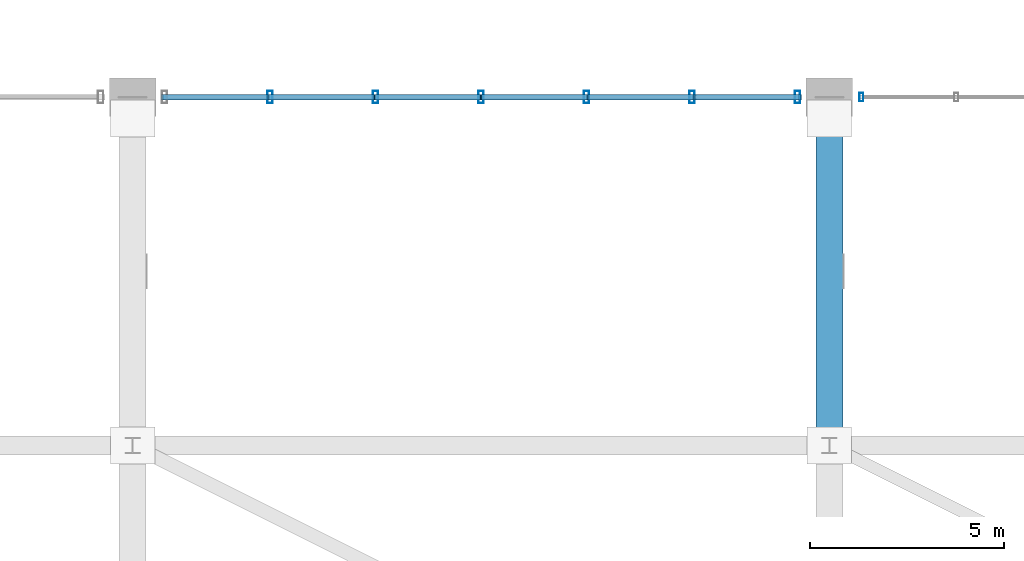
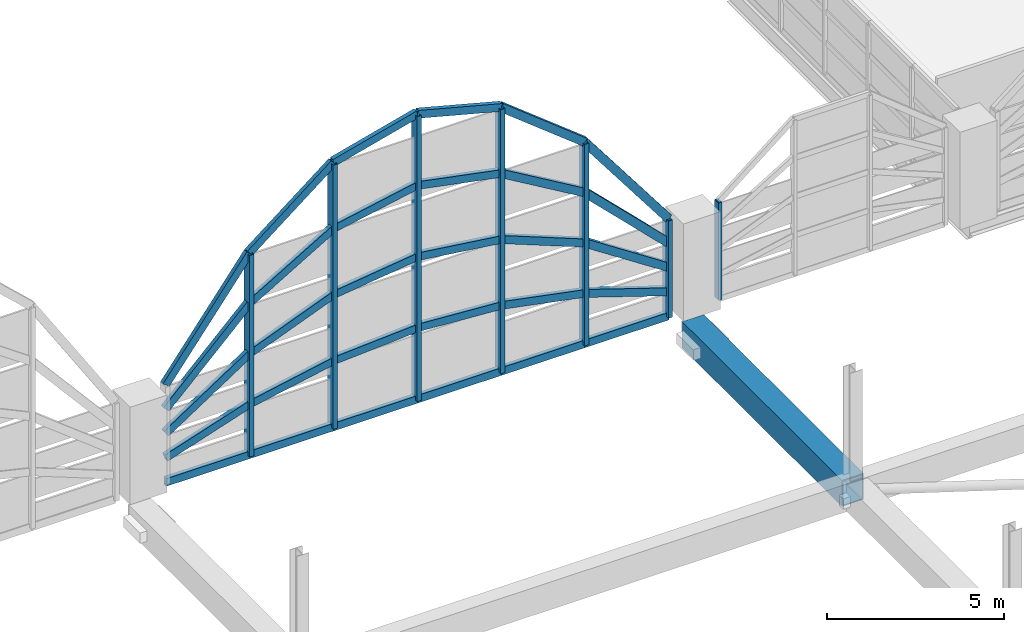
# One storey, part 53 of 116: 37 members, 1 beam, 2 elements without a shape of their own.
"""IFC4 building model written with IfcOpenShell, lengths in metres."""

from ifc_helpers import new_model, si_unit, direction, frame, origin, origin_2d, place, context, subcontext, project, spatial, hollow_rectangle, extrude, material, material_profile, profile_set, type_object, element, aggregate, save


model = new_model("IFC4")

# Units and contexts
model_context = context("Model", 3, precision=1e-05, world=origin(), true_north=direction((0.0, 1.0)))
body_context = subcontext(model_context, "Body", "Model", "MODEL_VIEW")
ifc_project = project(units=[si_unit("LENGTHUNIT", "METRE"), si_unit("AREAUNIT", "SQUARE_METRE"), si_unit("VOLUMEUNIT", "CUBIC_METRE"), si_unit("PLANEANGLEUNIT", "RADIAN"), si_unit("MASSUNIT", "GRAM", prefix="KILO")], contexts=[model_context])

# Site, building, storey
site_placement = place(None, origin())
site = spatial("IfcSite", under=ifc_project, at=site_placement, CompositionType="ELEMENT")
building_placement = place(site_placement, origin())
building = spatial("IfcBuilding", under=site, at=building_placement, Name="Chuanluo Vaults Station", CompositionType="ELEMENT")
storey_placement = place(building_placement, frame((0.0, 0.0, 10.800048828125)))
storey = spatial("IfcBuildingStorey", under=building, at=storey_placement, Name="L02", CompositionType="ELEMENT", Elevation=10.800048828125)

# Beam
ifc_material_1 = material(Name="Steel Q390C", Category="steel")
ifc_material_profile_1 = material_profile(ifc_material_1, hollow_rectangle(XDim=0.699951171875, YDim=0.89990234375, WallThickness=0.035888671875, at=origin_2d()))
ifc_profile_set_1 = profile_set([ifc_material_profile_1], Name="Steel Q390C")
beam_type = type_object("IfcBeamType", Name="BM-TT-TOP", PredefinedType="USERDEFINED", material=ifc_profile_set_1)
beam_placement = place(storey_placement, frame((108.0, 94.5, -0.85009765625), z_axis=(0.0, 1.0, 0.0), x_axis=(-1.0, 0.0, 0.0)))
element("IfcBeam", 1, at=beam_placement, inside=storey, type_object=beam_type, Name="Transfer truss TT-7 top chord 4", ObjectType="GIRDER", PredefinedType="USERDEFINED", context=body_context, shape_type="SweptSolid", body=[
    extrude(hollow_rectangle(XDim=0.699951171875, YDim=0.89990234375, WallThickness=0.035888671875, at=origin_2d()), origin(), (0.0, 0.0, 1.0), 9.0),
])

# Curtain wall, member
ifc_material_2 = material(Name="Anodised aluminium 6063-T6", Category="aluminium")
curtain_wall_type_1 = type_object("IfcCurtainWallType", Name="CW-SYS-24", PredefinedType="NOTDEFINED", material=ifc_material_2)
curtain_wall_1_placement = place(storey_placement, origin())
curtain_wall_1 = element("IfcCurtainWall", 2, at=curtain_wall_1_placement, inside=storey, type_object=curtain_wall_type_1, Name="Vault V7 north arched curtain wall part 1", PredefinedType="NOTDEFINED")
ifc_material_3 = material(Name="Anodised aluminium 6063-T6", Category="aluminium")
ifc_material_profile_2 = material_profile(ifc_material_3, hollow_rectangle(XDim=0.10498046875, YDim=0.219970703125, WallThickness=0.006103515625, at=origin_2d()))
ifc_profile_set_2 = profile_set([ifc_material_profile_2], Name="Anodised aluminium 6063-T6")
member_type_1 = type_object("IfcMemberType", Name="CWM-140", PredefinedType="MULLION", material=ifc_profile_set_2)
member_1_placement = place(storey_placement, frame((108.824951171875, 103.5, 0.0), z_axis=(0.0, 0.0, 1.0), x_axis=(1.0, 0.0, 0.0)))
member_1 = element("IfcMember", 3, at=member_1_placement, type_object=member_type_1, Name="Vault V7 north arched curtain wall part 1 mullion 1", PredefinedType="MULLION", context=body_context, shape_type="SweptSolid", body=[
    extrude(hollow_rectangle(XDim=0.10498046875, YDim=0.219970703125, WallThickness=0.006103515625, at=origin_2d()), origin(), (0.0, 0.0, 1.0), 3.349853515625),
])
aggregate(curtain_wall_1, [member_1])

# Curtain wall, members
ifc_material_4 = material(Name="Anodised aluminium 6063-T6", Category="aluminium")
curtain_wall_type_2 = type_object("IfcCurtainWallType", Name="CW-SYS-21", PredefinedType="NOTDEFINED", material=ifc_material_4)
curtain_wall_2_placement = place(storey_placement, origin())
curtain_wall_2 = element("IfcCurtainWall", 4, at=curtain_wall_2_placement, inside=storey, type_object=curtain_wall_type_2, Name="Vault V6 north arched curtain wall", PredefinedType="NOTDEFINED")
ifc_material_5 = material(Name="Anodised aluminium 6063-T6", Category="aluminium")
ifc_material_profile_3 = material_profile(ifc_material_5, hollow_rectangle(XDim=0.139892578125, YDim=0.320068359375, WallThickness=0.008056640625, at=origin_2d()))
ifc_profile_set_3 = profile_set([ifc_material_profile_3], Name="Anodised aluminium 6063-T6")
member_type_2 = type_object("IfcMemberType", Name="CWM-220", PredefinedType="MULLION", material=ifc_profile_set_3)
member_2_placement = place(storey_placement, frame((93.550048828125, 103.5, 0.0), z_axis=(0.0, 0.0, 1.0), x_axis=(1.0, 0.0, 0.0)))
member_2 = element("IfcMember", 5, at=member_2_placement, type_object=member_type_2, Name="Vault V6 north arched curtain wall mullion 2", PredefinedType="MULLION", context=body_context, shape_type="SweptSolid", body=[
    extrude(hollow_rectangle(XDim=0.139892578125, YDim=0.320068359375, WallThickness=0.008056640625, at=origin_2d()), origin(), (0.0, 0.0, 1.0), 6.933349609375),
])
member_3_placement = place(storey_placement, frame((96.27490234375, 103.5, 0.0), z_axis=(0.0, 0.0, 1.0), x_axis=(1.0, 0.0, 0.0)))
member_3 = element("IfcMember", 6, at=member_3_placement, type_object=member_type_2, Name="Vault V6 north arched curtain wall mullion 3", PredefinedType="MULLION", context=body_context, shape_type="SweptSolid", body=[
    extrude(hollow_rectangle(XDim=0.139892578125, YDim=0.320068359375, WallThickness=0.008056640625, at=origin_2d()), origin(), (0.0, 0.0, 1.0), 9.083251953125),
])
member_4_placement = place(storey_placement, frame((99.0, 103.5, 0.0), z_axis=(0.0, 0.0, 1.0), x_axis=(1.0, 0.0, 0.0)))
member_4 = element("IfcMember", 7, at=member_4_placement, type_object=member_type_2, Name="Vault V6 north arched curtain wall mullion 4", PredefinedType="MULLION", context=body_context, shape_type="SweptSolid", body=[
    extrude(hollow_rectangle(XDim=0.139892578125, YDim=0.320068359375, WallThickness=0.008056640625, at=origin_2d()), origin(), (0.0, 0.0, 1.0), 9.800048828125),
])
member_5_placement = place(storey_placement, frame((101.72509765625, 103.5, 0.0), z_axis=(0.0, 0.0, 1.0), x_axis=(1.0, 0.0, 0.0)))
member_5 = element("IfcMember", 8, at=member_5_placement, type_object=member_type_2, Name="Vault V6 north arched curtain wall mullion 5", PredefinedType="MULLION", context=body_context, shape_type="SweptSolid", body=[
    extrude(hollow_rectangle(XDim=0.139892578125, YDim=0.320068359375, WallThickness=0.008056640625, at=origin_2d()), origin(), (0.0, 0.0, 1.0), 9.083251953125),
])
member_6_placement = place(storey_placement, frame((104.449951171875, 103.5, 0.0), z_axis=(0.0, 0.0, 1.0), x_axis=(1.0, 0.0, 0.0)))
member_6 = element("IfcMember", 9, at=member_6_placement, type_object=member_type_2, Name="Vault V6 north arched curtain wall mullion 6", PredefinedType="MULLION", context=body_context, shape_type="SweptSolid", body=[
    extrude(hollow_rectangle(XDim=0.139892578125, YDim=0.320068359375, WallThickness=0.008056640625, at=origin_2d()), origin(), (0.0, 0.0, 1.0), 6.933349609375),
])
member_7_placement = place(storey_placement, frame((107.175048828125, 103.5, 0.0), z_axis=(0.0, 0.0, 1.0), x_axis=(1.0, 0.0, 0.0)))
member_7 = element("IfcMember", 10, at=member_7_placement, type_object=member_type_2, Name="Vault V6 north arched curtain wall mullion 7", PredefinedType="MULLION", context=body_context, shape_type="SweptSolid", body=[
    extrude(hollow_rectangle(XDim=0.139892578125, YDim=0.320068359375, WallThickness=0.008056640625, at=origin_2d()), origin(), (0.0, 0.0, 1.0), 3.349853515625),
])
ifc_material_6 = material(Name="Anodised aluminium 6063-T6", Category="aluminium")
ifc_material_profile_4 = material_profile(ifc_material_6, hollow_rectangle(XDim=0.139892578125, YDim=0.260009765625, WallThickness=0.007080078125, at=origin_2d()))
ifc_profile_set_4 = profile_set([ifc_material_profile_4], Name="Anodised aluminium 6063-T6")
member_type_3 = type_object("IfcMemberType", Name="CWT-180", PredefinedType="USERDEFINED", material=ifc_profile_set_4)
member_8_placement = place(storey_placement, frame((90.824951171875, 103.5, 0.0), z_axis=(1.0, 0.0, 0.0), x_axis=(0.0, 1.0, 0.0)))
member_8 = element("IfcMember", 11, at=member_8_placement, type_object=member_type_3, Name="Vault V6 north arched curtain wall transom 1.1", ObjectType="TRANSOM", PredefinedType="USERDEFINED", context=body_context, shape_type="SweptSolid", body=[
    extrude(hollow_rectangle(XDim=0.139892578125, YDim=0.260009765625, WallThickness=0.007080078125, at=origin_2d()), origin(), (0.0, 0.0, 1.0), 2.72509765625),
])
member_9_placement = place(storey_placement, frame((90.824951171875, 103.5, 0.83740234375), z_axis=(0.949994243133, 0.0, 0.312267414268), x_axis=(0.0, 1.0, 0.0)))
member_9 = element("IfcMember", 12, at=member_9_placement, type_object=member_type_3, Name="Vault V6 north arched curtain wall transom 1.2", ObjectType="TRANSOM", PredefinedType="USERDEFINED", context=body_context, shape_type="SweptSolid", body=[
    extrude(hollow_rectangle(XDim=0.139892578125, YDim=0.260009765625, WallThickness=0.007080078125, at=origin_2d()), origin(), (0.0, 0.0, 1.0), 2.86865234375),
])
member_10_placement = place(storey_placement, frame((90.824951171875, 103.5, 1.675048828125), z_axis=(0.835603373721, 0.0, 0.549333233862), x_axis=(0.0, 1.0, 0.0)))
member_10 = element("IfcMember", 13, at=member_10_placement, type_object=member_type_3, Name="Vault V6 north arched curtain wall transom 1.3", ObjectType="TRANSOM", PredefinedType="USERDEFINED", context=body_context, shape_type="SweptSolid", body=[
    extrude(hollow_rectangle(XDim=0.139892578125, YDim=0.260009765625, WallThickness=0.007080078125, at=origin_2d()), origin(), (0.0, 0.0, 1.0), 3.26123046875),
])
member_11_placement = place(storey_placement, frame((90.824951171875, 103.5, 2.512451171875), z_axis=(0.712001396563, 0.0, 0.702178048142), x_axis=(0.0, 1.0, 0.0)))
member_11 = element("IfcMember", 14, at=member_11_placement, type_object=member_type_3, Name="Vault V6 north arched curtain wall transom 1.4", ObjectType="TRANSOM", PredefinedType="USERDEFINED", context=body_context, shape_type="SweptSolid", body=[
    extrude(hollow_rectangle(XDim=0.139892578125, YDim=0.260009765625, WallThickness=0.007080078125, at=origin_2d()), origin(), (0.0, 0.0, 1.0), 3.827392578125),
])
member_12_placement = place(storey_placement, frame((90.824951171875, 103.5, 3.349853515625), z_axis=(0.605314241676, 0.0, 0.795986600907), x_axis=(0.0, 1.0, 0.0)))
member_12 = element("IfcMember", 15, at=member_12_placement, type_object=member_type_3, Name="Vault V6 north arched curtain wall transom 1.5", ObjectType="TRANSOM", PredefinedType="USERDEFINED", context=body_context, shape_type="SweptSolid", body=[
    extrude(hollow_rectangle(XDim=0.139892578125, YDim=0.260009765625, WallThickness=0.007080078125, at=origin_2d()), origin(), (0.0, 0.0, 1.0), 4.501953125),
])
member_13_placement = place(storey_placement, frame((93.550048828125, 103.5, 0.0), z_axis=(1.0, 0.0, 0.0), x_axis=(0.0, 1.0, 0.0)))
member_13 = element("IfcMember", 16, at=member_13_placement, type_object=member_type_3, Name="Vault V6 north arched curtain wall transom 2.1", ObjectType="TRANSOM", PredefinedType="USERDEFINED", context=body_context, shape_type="SweptSolid", body=[
    extrude(hollow_rectangle(XDim=0.139892578125, YDim=0.260009765625, WallThickness=0.007080078125, at=origin_2d()), origin(), (0.0, 0.0, 1.0), 2.724853515625),
])
member_14_placement = place(storey_placement, frame((93.550048828125, 103.5, 1.733154296875), z_axis=(0.98108786822, 0.0, 0.193562896319), x_axis=(0.0, 1.0, 0.0)))
member_14 = element("IfcMember", 17, at=member_14_placement, type_object=member_type_3, Name="Vault V6 north arched curtain wall transom 2.2", ObjectType="TRANSOM", PredefinedType="USERDEFINED", context=body_context, shape_type="SweptSolid", body=[
    extrude(hollow_rectangle(XDim=0.139892578125, YDim=0.260009765625, WallThickness=0.007080078125, at=origin_2d()), origin(), (0.0, 0.0, 1.0), 2.77734375),
])
member_15_placement = place(storey_placement, frame((93.550048828125, 103.5, 3.466552734375), z_axis=(0.930230857681, 0.0, 0.36697486483), x_axis=(0.0, 1.0, 0.0)))
member_15 = element("IfcMember", 18, at=member_15_placement, type_object=member_type_3, Name="Vault V6 north arched curtain wall transom 2.3", ObjectType="TRANSOM", PredefinedType="USERDEFINED", context=body_context, shape_type="SweptSolid", body=[
    extrude(hollow_rectangle(XDim=0.139892578125, YDim=0.260009765625, WallThickness=0.007080078125, at=origin_2d()), origin(), (0.0, 0.0, 1.0), 2.92919921875),
])
member_16_placement = place(storey_placement, frame((93.550048828125, 103.5, 5.199951171875), z_axis=(0.860593235916, 0.0, 0.509292923862), x_axis=(0.0, 1.0, 0.0)))
member_16 = element("IfcMember", 19, at=member_16_placement, type_object=member_type_3, Name="Vault V6 north arched curtain wall transom 2.4", ObjectType="TRANSOM", PredefinedType="USERDEFINED", context=body_context, shape_type="SweptSolid", body=[
    extrude(hollow_rectangle(XDim=0.139892578125, YDim=0.260009765625, WallThickness=0.007080078125, at=origin_2d()), origin(), (0.0, 0.0, 1.0), 3.166259765625),
])
member_17_placement = place(storey_placement, frame((93.550048828125, 103.5, 6.933349609375), z_axis=(0.785064583403, 0.0, 0.619413916445), x_axis=(0.0, 1.0, 0.0)))
member_17 = element("IfcMember", 20, at=member_17_placement, type_object=member_type_3, Name="Vault V6 north arched curtain wall transom 2.5", ObjectType="TRANSOM", PredefinedType="USERDEFINED", context=body_context, shape_type="SweptSolid", body=[
    extrude(hollow_rectangle(XDim=0.139892578125, YDim=0.260009765625, WallThickness=0.007080078125, at=origin_2d()), origin(), (0.0, 0.0, 1.0), 3.470947265625),
])
member_18_placement = place(storey_placement, frame((96.27490234375, 103.5, 0.0), z_axis=(1.0, 0.0, 0.0), x_axis=(0.0, 1.0, 0.0)))
member_18 = element("IfcMember", 21, at=member_18_placement, type_object=member_type_3, Name="Vault V6 north arched curtain wall transom 3.1", ObjectType="TRANSOM", PredefinedType="USERDEFINED", context=body_context, shape_type="SweptSolid", body=[
    extrude(hollow_rectangle(XDim=0.139892578125, YDim=0.260009765625, WallThickness=0.007080078125, at=origin_2d()), origin(), (0.0, 0.0, 1.0), 2.72509765625),
])
member_19_placement = place(storey_placement, frame((96.27490234375, 103.5, 2.270751953125), z_axis=(0.997844875411, 0.0, 0.065617106124), x_axis=(0.0, 1.0, 0.0)))
member_19 = element("IfcMember", 22, at=member_19_placement, type_object=member_type_3, Name="Vault V6 north arched curtain wall transom 3.2", ObjectType="TRANSOM", PredefinedType="USERDEFINED", context=body_context, shape_type="SweptSolid", body=[
    extrude(hollow_rectangle(XDim=0.139892578125, YDim=0.260009765625, WallThickness=0.007080078125, at=origin_2d()), origin(), (0.0, 0.0, 1.0), 2.73095703125),
])
member_20_placement = place(storey_placement, frame((96.27490234375, 103.5, 4.54150390625), z_axis=(0.991462154342, 0.0, 0.130394771777), x_axis=(0.0, 1.0, 0.0)))
member_20 = element("IfcMember", 23, at=member_20_placement, type_object=member_type_3, Name="Vault V6 north arched curtain wall transom 3.3", ObjectType="TRANSOM", PredefinedType="USERDEFINED", context=body_context, shape_type="SweptSolid", body=[
    extrude(hollow_rectangle(XDim=0.139892578125, YDim=0.260009765625, WallThickness=0.007080078125, at=origin_2d()), origin(), (0.0, 0.0, 1.0), 2.74853515625),
])
member_21_placement = place(storey_placement, frame((96.27490234375, 103.5, 6.8125), z_axis=(0.981107848058, 0.0, 0.193461599496), x_axis=(0.0, 1.0, 0.0)))
member_21 = element("IfcMember", 24, at=member_21_placement, type_object=member_type_3, Name="Vault V6 north arched curtain wall transom 3.4", ObjectType="TRANSOM", PredefinedType="USERDEFINED", context=body_context, shape_type="SweptSolid", body=[
    extrude(hollow_rectangle(XDim=0.139892578125, YDim=0.260009765625, WallThickness=0.007080078125, at=origin_2d()), origin(), (0.0, 0.0, 1.0), 2.777587890625),
])
member_22_placement = place(storey_placement, frame((96.27490234375, 103.5, 9.083251953125), z_axis=(0.967103711026, 0.0, 0.254382413149), x_axis=(0.0, 1.0, 0.0)))
member_22 = element("IfcMember", 25, at=member_22_placement, type_object=member_type_3, Name="Vault V6 north arched curtain wall transom 3.5", ObjectType="TRANSOM", PredefinedType="USERDEFINED", context=body_context, shape_type="SweptSolid", body=[
    extrude(hollow_rectangle(XDim=0.139892578125, YDim=0.260009765625, WallThickness=0.007080078125, at=origin_2d()), origin(), (0.0, 0.0, 1.0), 2.81787109375),
])
member_23_placement = place(storey_placement, frame((99.0, 103.5, 0.0), z_axis=(1.0, 0.0, 0.0), x_axis=(0.0, 1.0, 0.0)))
member_23 = element("IfcMember", 26, at=member_23_placement, type_object=member_type_3, Name="Vault V6 north arched curtain wall transom 4.1", ObjectType="TRANSOM", PredefinedType="USERDEFINED", context=body_context, shape_type="SweptSolid", body=[
    extrude(hollow_rectangle(XDim=0.139892578125, YDim=0.260009765625, WallThickness=0.007080078125, at=origin_2d()), origin(), (0.0, 0.0, 1.0), 2.72509765625),
])
member_24_placement = place(storey_placement, frame((99.0, 103.5, 2.449951171875), z_axis=(0.997844875411, 0.0, -0.065617106124), x_axis=(0.0, 1.0, 0.0)))
member_24 = element("IfcMember", 27, at=member_24_placement, type_object=member_type_3, Name="Vault V6 north arched curtain wall transom 4.2", ObjectType="TRANSOM", PredefinedType="USERDEFINED", context=body_context, shape_type="SweptSolid", body=[
    extrude(hollow_rectangle(XDim=0.139892578125, YDim=0.260009765625, WallThickness=0.007080078125, at=origin_2d()), origin(), (0.0, 0.0, 1.0), 2.73095703125),
])
member_25_placement = place(storey_placement, frame((99.0, 103.5, 4.89990234375), z_axis=(0.991462154342, 0.0, -0.130394771777), x_axis=(0.0, 1.0, 0.0)))
member_25 = element("IfcMember", 28, at=member_25_placement, type_object=member_type_3, Name="Vault V6 north arched curtain wall transom 4.3", ObjectType="TRANSOM", PredefinedType="USERDEFINED", context=body_context, shape_type="SweptSolid", body=[
    extrude(hollow_rectangle(XDim=0.139892578125, YDim=0.260009765625, WallThickness=0.007080078125, at=origin_2d()), origin(), (0.0, 0.0, 1.0), 2.74853515625),
])
member_26_placement = place(storey_placement, frame((99.0, 103.5, 7.349853515625), z_axis=(0.981107848058, 0.0, -0.193461599496), x_axis=(0.0, 1.0, 0.0)))
member_26 = element("IfcMember", 29, at=member_26_placement, type_object=member_type_3, Name="Vault V6 north arched curtain wall transom 4.4", ObjectType="TRANSOM", PredefinedType="USERDEFINED", context=body_context, shape_type="SweptSolid", body=[
    extrude(hollow_rectangle(XDim=0.139892578125, YDim=0.260009765625, WallThickness=0.007080078125, at=origin_2d()), origin(), (0.0, 0.0, 1.0), 2.777587890625),
])
member_27_placement = place(storey_placement, frame((99.0, 103.5, 9.800048828125), z_axis=(0.967103711026, 0.0, -0.254382413149), x_axis=(0.0, 1.0, 0.0)))
member_27 = element("IfcMember", 30, at=member_27_placement, type_object=member_type_3, Name="Vault V6 north arched curtain wall transom 4.5", ObjectType="TRANSOM", PredefinedType="USERDEFINED", context=body_context, shape_type="SweptSolid", body=[
    extrude(hollow_rectangle(XDim=0.139892578125, YDim=0.260009765625, WallThickness=0.007080078125, at=origin_2d()), origin(), (0.0, 0.0, 1.0), 2.81787109375),
])
member_28_placement = place(storey_placement, frame((101.72509765625, 103.5, 0.0), z_axis=(1.0, 0.0, 0.0), x_axis=(0.0, 1.0, 0.0)))
member_28 = element("IfcMember", 31, at=member_28_placement, type_object=member_type_3, Name="Vault V6 north arched curtain wall transom 5.1", ObjectType="TRANSOM", PredefinedType="USERDEFINED", context=body_context, shape_type="SweptSolid", body=[
    extrude(hollow_rectangle(XDim=0.139892578125, YDim=0.260009765625, WallThickness=0.007080078125, at=origin_2d()), origin(), (0.0, 0.0, 1.0), 2.724853515625),
])
member_29_placement = place(storey_placement, frame((101.72509765625, 103.5, 2.270751953125), z_axis=(0.98108786822, 0.0, -0.193562896319), x_axis=(0.0, 1.0, 0.0)))
member_29 = element("IfcMember", 32, at=member_29_placement, type_object=member_type_3, Name="Vault V6 north arched curtain wall transom 5.2", ObjectType="TRANSOM", PredefinedType="USERDEFINED", context=body_context, shape_type="SweptSolid", body=[
    extrude(hollow_rectangle(XDim=0.139892578125, YDim=0.260009765625, WallThickness=0.007080078125, at=origin_2d()), origin(), (0.0, 0.0, 1.0), 2.77734375),
])
member_30_placement = place(storey_placement, frame((101.72509765625, 103.5, 4.54150390625), z_axis=(0.930230857681, 0.0, -0.36697486483), x_axis=(0.0, 1.0, 0.0)))
member_30 = element("IfcMember", 33, at=member_30_placement, type_object=member_type_3, Name="Vault V6 north arched curtain wall transom 5.3", ObjectType="TRANSOM", PredefinedType="USERDEFINED", context=body_context, shape_type="SweptSolid", body=[
    extrude(hollow_rectangle(XDim=0.139892578125, YDim=0.260009765625, WallThickness=0.007080078125, at=origin_2d()), origin(), (0.0, 0.0, 1.0), 2.92919921875),
])
member_31_placement = place(storey_placement, frame((101.72509765625, 103.5, 6.8125), z_axis=(0.860593235916, 0.0, -0.509292923862), x_axis=(0.0, 1.0, 0.0)))
member_31 = element("IfcMember", 34, at=member_31_placement, type_object=member_type_3, Name="Vault V6 north arched curtain wall transom 5.4", ObjectType="TRANSOM", PredefinedType="USERDEFINED", context=body_context, shape_type="SweptSolid", body=[
    extrude(hollow_rectangle(XDim=0.139892578125, YDim=0.260009765625, WallThickness=0.007080078125, at=origin_2d()), origin(), (0.0, 0.0, 1.0), 3.166259765625),
])
member_32_placement = place(storey_placement, frame((101.72509765625, 103.5, 9.083251953125), z_axis=(0.785064583403, 0.0, -0.619413916445), x_axis=(0.0, 1.0, 0.0)))
member_32 = element("IfcMember", 35, at=member_32_placement, type_object=member_type_3, Name="Vault V6 north arched curtain wall transom 5.5", ObjectType="TRANSOM", PredefinedType="USERDEFINED", context=body_context, shape_type="SweptSolid", body=[
    extrude(hollow_rectangle(XDim=0.139892578125, YDim=0.260009765625, WallThickness=0.007080078125, at=origin_2d()), origin(), (0.0, 0.0, 1.0), 3.470947265625),
])
member_33_placement = place(storey_placement, frame((104.449951171875, 103.5, 0.0), z_axis=(1.0, 0.0, 0.0), x_axis=(0.0, 1.0, 0.0)))
member_33 = element("IfcMember", 36, at=member_33_placement, type_object=member_type_3, Name="Vault V6 north arched curtain wall transom 6.1", ObjectType="TRANSOM", PredefinedType="USERDEFINED", context=body_context, shape_type="SweptSolid", body=[
    extrude(hollow_rectangle(XDim=0.139892578125, YDim=0.260009765625, WallThickness=0.007080078125, at=origin_2d()), origin(), (0.0, 0.0, 1.0), 2.72509765625),
])
member_34_placement = place(storey_placement, frame((104.449951171875, 103.5, 1.733154296875), z_axis=(0.949994243133, 0.0, -0.312267414268), x_axis=(0.0, 1.0, 0.0)))
member_34 = element("IfcMember", 37, at=member_34_placement, type_object=member_type_3, Name="Vault V6 north arched curtain wall transom 6.2", ObjectType="TRANSOM", PredefinedType="USERDEFINED", context=body_context, shape_type="SweptSolid", body=[
    extrude(hollow_rectangle(XDim=0.139892578125, YDim=0.260009765625, WallThickness=0.007080078125, at=origin_2d()), origin(), (0.0, 0.0, 1.0), 2.86865234375),
])
member_35_placement = place(storey_placement, frame((104.449951171875, 103.5, 3.466552734375), z_axis=(0.835603373721, 0.0, -0.549333233862), x_axis=(0.0, 1.0, 0.0)))
member_35 = element("IfcMember", 38, at=member_35_placement, type_object=member_type_3, Name="Vault V6 north arched curtain wall transom 6.3", ObjectType="TRANSOM", PredefinedType="USERDEFINED", context=body_context, shape_type="SweptSolid", body=[
    extrude(hollow_rectangle(XDim=0.139892578125, YDim=0.260009765625, WallThickness=0.007080078125, at=origin_2d()), origin(), (0.0, 0.0, 1.0), 3.26123046875),
])
member_36_placement = place(storey_placement, frame((104.449951171875, 103.5, 5.199951171875), z_axis=(0.712001396563, 0.0, -0.702178048142), x_axis=(0.0, 1.0, 0.0)))
member_36 = element("IfcMember", 39, at=member_36_placement, type_object=member_type_3, Name="Vault V6 north arched curtain wall transom 6.4", ObjectType="TRANSOM", PredefinedType="USERDEFINED", context=body_context, shape_type="SweptSolid", body=[
    extrude(hollow_rectangle(XDim=0.139892578125, YDim=0.260009765625, WallThickness=0.007080078125, at=origin_2d()), origin(), (0.0, 0.0, 1.0), 3.827392578125),
])
member_37_placement = place(storey_placement, frame((104.449951171875, 103.5, 6.933349609375), z_axis=(0.605314241676, 0.0, -0.795986600907), x_axis=(0.0, 1.0, 0.0)))
member_37 = element("IfcMember", 40, at=member_37_placement, type_object=member_type_3, Name="Vault V6 north arched curtain wall transom 6.5", ObjectType="TRANSOM", PredefinedType="USERDEFINED", context=body_context, shape_type="SweptSolid", body=[
    extrude(hollow_rectangle(XDim=0.139892578125, YDim=0.260009765625, WallThickness=0.007080078125, at=origin_2d()), origin(), (0.0, 0.0, 1.0), 4.501953125),
])
aggregate(curtain_wall_2, [member_2, member_3, member_4, member_5, member_6, member_7, member_8, member_9, member_10, member_11, member_12, member_13, member_14, member_15, member_16, member_17, member_18, member_19, member_20, member_21, member_22, member_23, member_24, member_25, member_26, member_27, member_28, member_29, member_30, member_31, member_32, member_33, member_34, member_35, member_36, member_37])

save(model, "model.ifc")
